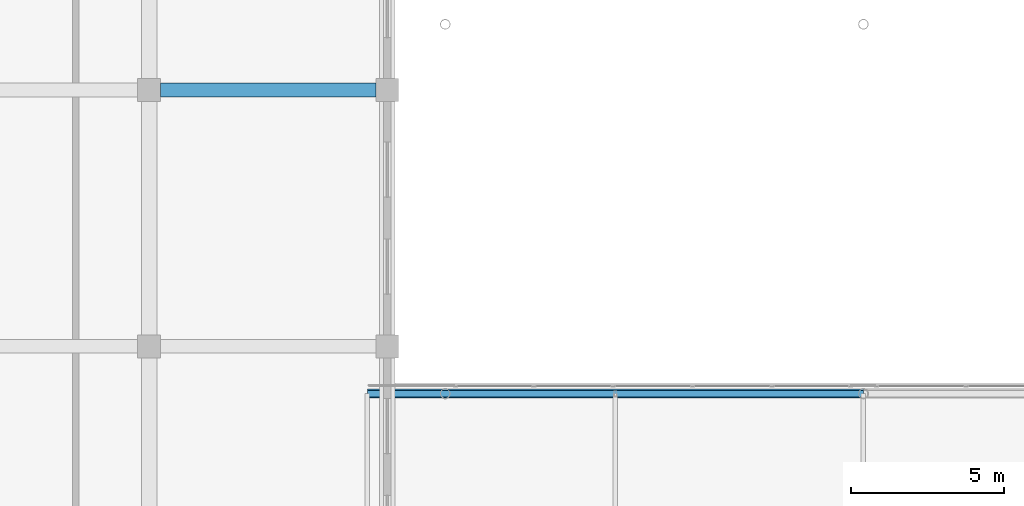
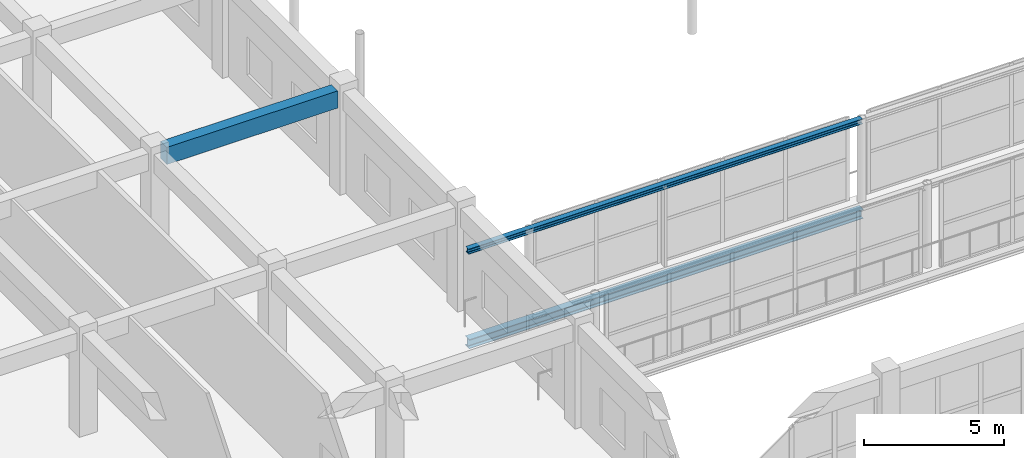
# One storey, part 73 of 175: 2 beams, 1 member.
"""IFC4 building model written with IfcOpenShell, lengths in metres."""

import ifcopenshell
import ifcopenshell.guid

model = None  # the IFC model being written
_history = None  # IfcOwnerHistory: only IFC2X3 demands one
_inside = {}  # id of a spatial element -> (the spatial element, [elements in it])
_under = {}  # id of a project, library or spatial element -> (it, [spatial elements below it])
_declared = {}  # id of a project -> (the project, [libraries it declares])
_typed = {}  # id of a type object -> (the type object, [elements of that type])
_made_of = {}  # id of a material, layer set ... -> (it, [elements and type objects made of it])


def new_model(schema):
    """Start an empty IFC model of exactly this schema.

    Asked for "IFC4X3", IfcOpenShell would pick the latest addendum, in which some entities
    have other attributes; the version numbers below select the first issue.
    IFC2X3 requires an IfcOwnerHistory on every rooted entity: one is made here for all.
    """
    global model, _history
    if schema == "IFC4X3":
        model = ifcopenshell.file(schema_version=(4, 3, 0, 0))
    else:
        model = ifcopenshell.file(schema=schema)
    _inside.clear()
    _under.clear()
    _declared.clear()
    _typed.clear()
    _made_of.clear()
    _history = None
    if model.schema == "IFC2X3":
        org = make("IfcOrganization", Name="unknown")
        user = make(
            "IfcPersonAndOrganization",
            ThePerson=make("IfcPerson", FamilyName="unknown"),
            TheOrganization=org,
        )
        app = make(
            "IfcApplication",
            ApplicationDeveloper=org,
            Version="unknown",
            ApplicationFullName="unknown",
            ApplicationIdentifier="unknown",
        )
        _history = make(
            "IfcOwnerHistory",
            OwningUser=user,
            OwningApplication=app,
            ChangeAction="ADDED",
            CreationDate=0,
        )
    return model


def make(cls, **values):
    """One entity of the class cls with the attributes given. An attribute that is None is left unset."""
    return model.create_entity(
        cls, **{name: value for name, value in values.items() if value is not None}
    )


def rooted(cls, **values):
    """An entity with a GlobalId (a new one), such as an element, a storey or a relation."""
    return make(cls, GlobalId=ifcopenshell.guid.new(), OwnerHistory=_history, **values)


def si_unit(unit_type, name, prefix=None):
    """IfcSIUnit, for example si_unit("LENGTHUNIT", "METRE", prefix="MILLI")."""
    return make("IfcSIUnit", UnitType=unit_type, Prefix=prefix, Name=name)


def assignment(units):
    """IfcUnitAssignment: the units of a project."""
    return None if units is None else make("IfcUnitAssignment", Units=units)


def point(xyz):
    """IfcCartesianPoint."""
    return None if xyz is None else make("IfcCartesianPoint", Coordinates=xyz)


def direction(xyz):
    """IfcDirection."""
    return None if xyz is None else make("IfcDirection", DirectionRatios=xyz)


def frame(location, z_axis=None, x_axis=None):
    """IfcAxis2Placement3D, a coordinate frame: its origin and axes. An axis left out is left unset."""
    return make(
        "IfcAxis2Placement3D",
        Location=point(location),
        Axis=direction(z_axis),
        RefDirection=direction(x_axis),
    )


def frame_2d(location, x_axis=None):
    """IfcAxis2Placement2D, a coordinate frame in the plane: its origin and x axis."""
    return make(
        "IfcAxis2Placement2D", Location=point(location), RefDirection=direction(x_axis)
    )


def origin():
    """The frame at (0, 0, 0) with its axes left unset."""
    return frame((0.0, 0.0, 0.0))


def origin_2d():
    """The frame at (0, 0) in the plane with its x axis left unset."""
    return frame_2d((0.0, 0.0))


def place(relative_to, where):
    """IfcLocalPlacement: puts the frame where relative to a parent placement (None: the world)."""
    return make(
        "IfcLocalPlacement", PlacementRelTo=relative_to, RelativePlacement=where
    )


def context(
    kind, dimensions, precision=None, world=None, true_north=None, identifier=None
):
    """IfcGeometricRepresentationContext, for example the 3D "Model" context."""
    return make(
        "IfcGeometricRepresentationContext",
        ContextIdentifier=identifier,
        ContextType=kind,
        CoordinateSpaceDimension=dimensions,
        Precision=precision,
        WorldCoordinateSystem=world,
        TrueNorth=true_north,
    )


def subcontext(parent, identifier, kind, view, scale=None):
    """IfcGeometricRepresentationSubContext, for example "Body" below "Model"."""
    return make(
        "IfcGeometricRepresentationSubContext",
        ContextIdentifier=identifier,
        ContextType=kind,
        ParentContext=parent,
        TargetScale=scale,
        TargetView=view,
    )


def project(units=None, contexts=None):
    """IfcProject with its units and contexts."""
    return rooted(
        "IfcProject",
        Name="project",
        RepresentationContexts=contexts,
        UnitsInContext=assignment(units),
    )


def spatial(cls, under=None, at=None, **own):
    """A site, building, storey or space (cls), placed at a placement, below another one or the project."""
    s = rooted(cls, ObjectPlacement=at, **own)
    if under is not None:
        _under.setdefault(under.id(), (under, []))[1].append(s)
    return s


def profile(cls, at=None, kind="AREA", **sizes):
    """A parametric profile (cls). Its sizes go by their IFC names, for example OverallWidth=200.0."""
    return make(cls, ProfileType=kind, Position=at, **sizes)


def rectangle(**sizes):
    """IfcRectangleProfileDef."""
    return profile("IfcRectangleProfileDef", **sizes)


def i_section(**sizes):
    """IfcIShapeProfileDef."""
    return profile("IfcIShapeProfileDef", **sizes)


def extrude(swept, where, along, depth):
    """IfcExtrudedAreaSolid: the profile swept, set in the frame where, extruded along a direction by depth."""
    return make(
        "IfcExtrudedAreaSolid",
        SweptArea=swept,
        Position=where,
        ExtrudedDirection=direction(along),
        Depth=depth,
    )


def shape(context_of_items, identifier, shape_type, items):
    """IfcShapeRepresentation: the items that make up one representation, for example the "Body"."""
    return make(
        "IfcShapeRepresentation",
        ContextOfItems=context_of_items,
        RepresentationIdentifier=identifier,
        RepresentationType=shape_type,
        Items=items,
    )


def material(Name=None, Category=None):
    """IfcMaterial."""
    return make("IfcMaterial", Name=Name, Category=Category)


def material_profile(
    of_material, cross_section, Name=None, Category=None, Priority=None
):
    """IfcMaterialProfile: a cross section and its material."""
    return make(
        "IfcMaterialProfile",
        Name=Name,
        Material=of_material,
        Profile=cross_section,
        Priority=Priority,
        Category=Category,
    )


def profile_set(profiles, Name=None, composite=None):
    """IfcMaterialProfileSet."""
    return make(
        "IfcMaterialProfileSet",
        Name=Name,
        MaterialProfiles=profiles,
        CompositeProfile=composite,
    )


def made_of(thing, what):
    """Note that an element or type object is made of a material, layer set ...; save() writes the relation."""
    if what is not None:
        _made_of.setdefault(what.id(), (what, []))[1].append(thing)
    return thing


def type_object(cls, material=None, **own):
    """A type object (cls), such as IfcWallType, which elements share."""
    return made_of(rooted(cls, **own), material)


def element(
    cls,
    number,
    at=None,
    inside=None,
    cuts=None,
    type_object=None,
    material=None,
    context=None,
    identifier="Body",
    shape_type=None,
    held_by="IfcProductDefinitionShape",
    body=None,
    shapes=None,
    **own,
):
    """One element of the class cls, such as IfcWall. Its Tag is "e" and its number.

    at: its placement. inside: the storey or other place that contains it. cuts: it is an
    opening in that element (IfcRelVoidsElement). A single representation is given by context,
    identifier, shape_type and body (its items); several are given by shapes. held_by: the class
    of the entity that holds the representations. save() writes the other relations.
    """
    e = rooted(cls, Tag="e%d" % number, ObjectPlacement=at, **own)
    if body is not None:
        shapes = [shape(context, identifier, shape_type, body)]
    if shapes is not None:
        e.Representation = make(held_by, Representations=shapes)
    if inside is not None:
        _inside.setdefault(inside.id(), (inside, []))[1].append(e)
    if cuts is not None:
        rooted(
            "IfcRelVoidsElement", RelatingBuildingElement=cuts, RelatedOpeningElement=e
        )
    if type_object is not None:
        _typed.setdefault(type_object.id(), (type_object, []))[1].append(e)
    return made_of(e, material)


def aggregate(whole, parts):
    """IfcRelAggregates: a whole, such as a stair, and the parts it consists of."""
    return rooted("IfcRelAggregates", RelatingObject=whole, RelatedObjects=parts)


def save(model, path):
    """Write the relations noted so far, then the file.

    IfcRelAggregates (storeys below a building ...), IfcRelContainedInSpatialStructure (elements
    in a storey), IfcRelDefinesByType, IfcRelAssociatesMaterial and IfcRelDeclares: one each for
    every whole, place, type object, material and project.
    """
    for whole, parts in _under.values():
        aggregate(whole, parts)
    for where, things in _inside.values():
        rooted(
            "IfcRelContainedInSpatialStructure",
            RelatedElements=things,
            RelatingStructure=where,
        )
    for kind, things in _typed.values():
        rooted("IfcRelDefinesByType", RelatedObjects=things, RelatingType=kind)
    for what, things in _made_of.values():
        rooted("IfcRelAssociatesMaterial", RelatedObjects=things, RelatingMaterial=what)
    for by, libraries in _declared.values():
        rooted("IfcRelDeclares", RelatingContext=by, RelatedDefinitions=libraries)
    model.write(path)


model = new_model("IFC4")

# Units and contexts
model_context = context("Model", 3, precision=1e-05, world=origin(), true_north=direction((0.0, 1.0)))
body_context = subcontext(model_context, "Body", "Model", "MODEL_VIEW")
ifc_project = project(units=[si_unit("LENGTHUNIT", "METRE"), si_unit("AREAUNIT", "SQUARE_METRE"), si_unit("VOLUMEUNIT", "CUBIC_METRE"), si_unit("PLANEANGLEUNIT", "RADIAN"), si_unit("MASSUNIT", "GRAM", prefix="KILO")], contexts=[model_context])

# Site, building, storey
site_placement = place(None, origin())
site = spatial("IfcSite", under=ifc_project, at=site_placement, CompositionType="ELEMENT")
building_placement = place(site_placement, origin())
building = spatial("IfcBuilding", under=site, at=building_placement, Name="Zizhar Promenade General Hospital", CompositionType="ELEMENT")
storey_placement = place(building_placement, frame((0.0, 0.0, 4.800048828125)))
storey = spatial("IfcBuildingStorey", under=building, at=storey_placement, Name="L01", CompositionType="ELEMENT", Elevation=4.800048828125)

# Beams
ifc_material_1 = material(Name="Concrete C35/45", Category="concrete")
ifc_material_profile_1 = material_profile(ifc_material_1, rectangle(XDim=0.449951171875, YDim=0.75, at=origin_2d()))
ifc_profile_set_1 = profile_set([ifc_material_profile_1], Name="Concrete C35/45")
beam_type_1 = type_object("IfcBeamType", Name="BM-RC-450x750", PredefinedType="BEAM", material=ifc_profile_set_1)
beam_1_placement = place(storey_placement, frame((62.77490234375, 75.60009765625, 4.094970703125), z_axis=(1.0, 0.0, 0.0), x_axis=(0.0, 1.0, 0.0)))
element("IfcBeam", 1, at=beam_1_placement, inside=storey, type_object=beam_type_1, Name="Grid Beam X L01 (8-9)", PredefinedType="BEAM", context=body_context, shape_type="SweptSolid", body=[
    extrude(rectangle(XDim=0.449951171875, YDim=0.75, at=origin_2d()), origin(), (0.0, 0.0, 1.0), 7.050048828125),
])
ifc_material_2 = material(Name="Steel S355", Category="steel")
ifc_material_profile_2 = material_profile(ifc_material_2, i_section(OverallWidth=0.300048828125, OverallDepth=0.39990234375, WebThickness=0.013427734375, FlangeThickness=0.02392578125, FilletRadius=0.027099609375, at=origin_2d()))
ifc_profile_set_2 = profile_set([ifc_material_profile_2], Name="Steel S355")
beam_type_2 = type_object("IfcBeamType", Name="BM-STL-HEB400", PredefinedType="BEAM", material=ifc_profile_set_2)
beam_2_placement = place(storey_placement, frame((69.550048828125, 65.64990234375, -0.5), z_axis=(1.0, 0.0, 0.0), x_axis=(0.0, 1.0, 0.0)))
element("IfcBeam", 2, at=beam_2_placement, inside=storey, type_object=beam_type_2, Name="SB-1 Bottom Chord 1N", PredefinedType="BEAM", context=body_context, shape_type="SweptSolid", body=[
    extrude(i_section(OverallWidth=0.300048828125, OverallDepth=0.39990234375, WebThickness=0.013427734375, FlangeThickness=0.02392578125, FilletRadius=0.027099609375, at=origin_2d()), origin(), (0.0, 0.0, 1.0), 16.25),
])

# Member
ifc_material_3 = material(Name="Steel S355", Category="steel")
ifc_material_profile_3 = material_profile(ifc_material_3, i_section(OverallWidth=0.219970703125, OverallDepth=0.219970703125, WebThickness=0.009521484375, FlangeThickness=0.01611328125, FilletRadius=0.01806640625, at=origin_2d()))
ifc_profile_set_3 = profile_set([ifc_material_profile_3], Name="Steel S355")
member_type = type_object("IfcMemberType", Name="MEM-CHORD-HEB220", PredefinedType="CHORD", material=ifc_profile_set_3)
member_placement = place(storey_placement, frame((69.550048828125, 65.64990234375, 3.510009765625), z_axis=(1.0, 0.0, 0.0), x_axis=(0.0, 1.0, 0.0)))
element("IfcMember", 3, at=member_placement, inside=storey, type_object=member_type, Name="SB-1 Top Chord 1N", PredefinedType="CHORD", context=body_context, shape_type="SweptSolid", body=[
    extrude(i_section(OverallWidth=0.219970703125, OverallDepth=0.219970703125, WebThickness=0.009521484375, FlangeThickness=0.01611328125, FilletRadius=0.01806640625, at=origin_2d()), origin(), (0.0, 0.0, 1.0), 16.25),
])

save(model, "model.ifc")
